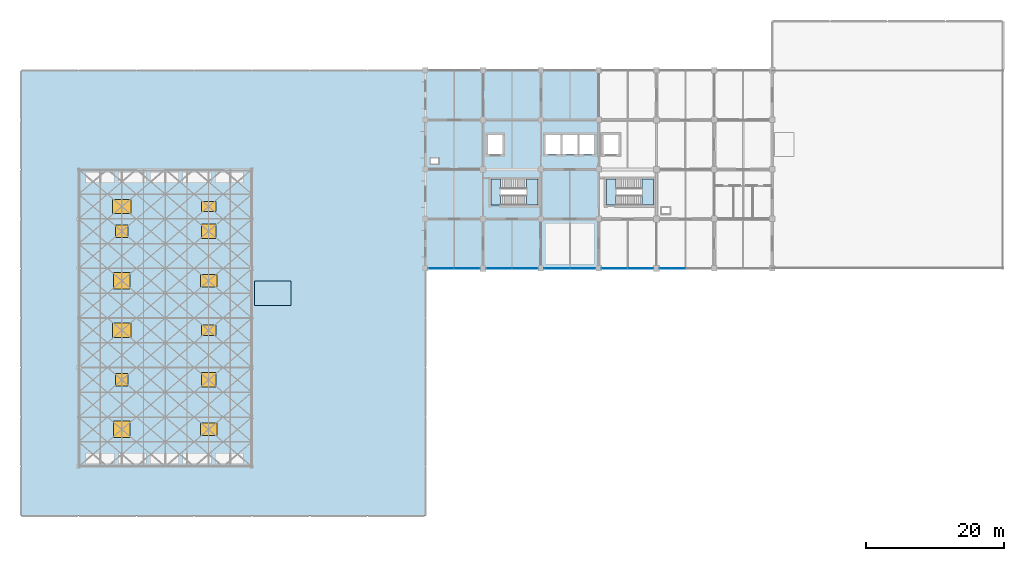
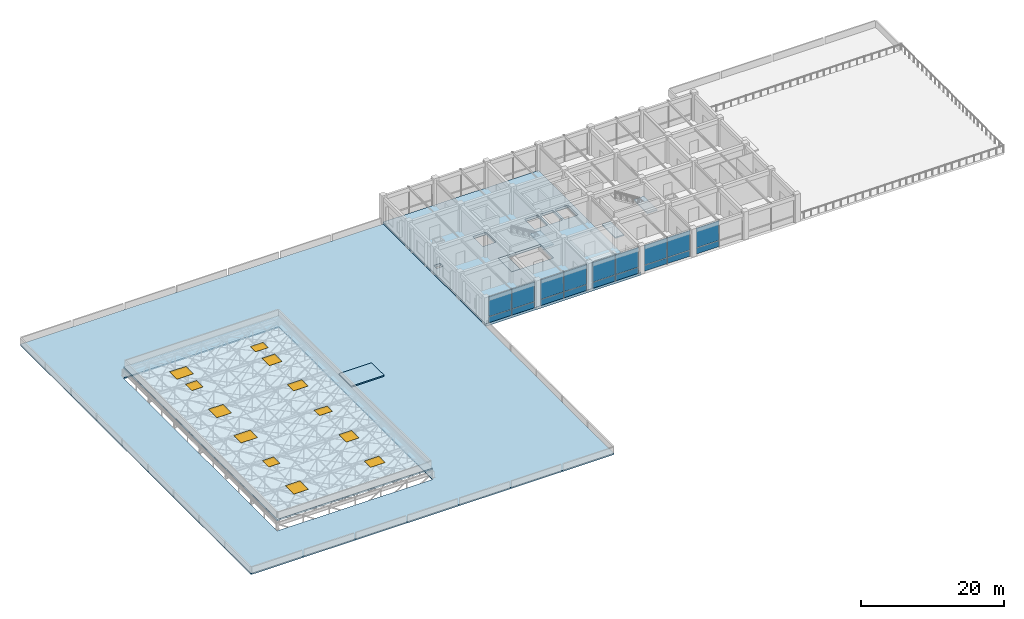
# One storey, part 36 of 45: 18 plates, 12 windows, 8 slabs, 12 openings, 7 elements without a shape of their own.
"""IFC4 building model written with IfcOpenShell, lengths in metres."""

from ifc_helpers import new_model, si_unit, derived_unit, direction, frame, origin, origin_2d, place, context, subcontext, project, spatial, polyline, rectangle, outline, extrude, material, layer, layer_set, type_object, element, fill, aggregate, save


model = new_model("IFC4")

# Units and contexts
model_context = context("Model", 3, precision=1e-05, world=origin(), true_north=direction((0.0, 1.0)))
body_context = subcontext(model_context, "Body", "Model", "MODEL_VIEW")
ifc_project = project(units=[si_unit("LENGTHUNIT", "METRE"), si_unit("AREAUNIT", "SQUARE_METRE"), si_unit("VOLUMEUNIT", "CUBIC_METRE"), si_unit("PLANEANGLEUNIT", "RADIAN"), si_unit("MASSUNIT", "GRAM", prefix="KILO"), derived_unit("THERMALTRANSMITTANCEUNIT", [(si_unit("MASSUNIT", "GRAM", prefix="KILO"), 1), (si_unit("TIMEUNIT", "SECOND"), -3), (si_unit("THERMODYNAMICTEMPERATUREUNIT", "KELVIN"), -1)])], contexts=[model_context])

# Site, building, storey
site_placement = place(None, origin())
site = spatial("IfcSite", under=ifc_project, at=site_placement, CompositionType="ELEMENT")
building_placement = place(site_placement, origin())
building = spatial("IfcBuilding", under=site, at=building_placement, Name="Veldstrom Oceanarium and Marine Research Institute", CompositionType="ELEMENT")
storey_placement = place(building_placement, frame((0.0, 0.0, 22.199951171875)))
storey = spatial("IfcBuildingStorey", under=building, at=storey_placement, Name="L04", CompositionType="ELEMENT", Elevation=22.199951171875)

# Curtain wall, plates
ifc_material_1 = material(Name="Anodised Aluminium Framing", Category="aluminium")
curtain_wall_type = type_object("IfcCurtainWallType", Name="ARC-CW-CW03", PredefinedType="USERDEFINED", material=ifc_material_1)
curtain_wall_1_placement = place(storey_placement, origin())
curtain_wall_1 = element("IfcCurtainWall", 1, at=curtain_wall_1_placement, inside=storey, type_object=curtain_wall_type, Name="Curtain Wall CW03 CW-L04-078", ObjectType="Curtain wall", PredefinedType="USERDEFINED")
ifc_material_2 = material(Name="Double Glazed Low-E IGU", Category="glass")
ifc_layer_1 = layer(ifc_material_2, 0.035888671875)
ifc_layer_set_1 = layer_set([ifc_layer_1], Name="ARC-PLT-CP03")
plate_type_1 = type_object("IfcPlateType", Name="ARC-PLT-CP03", PredefinedType="CURTAIN_PANEL", material=ifc_layer_set_1)
plate_1_placement = place(storey_placement, frame((69.513671875, 43.199951171875, 1.09033203125), z_axis=(0.0, 0.0, 1.0), x_axis=(1.0, 0.0, 0.0)))
plate_1 = element("IfcPlate", 2, at=plate_1_placement, type_object=plate_type_1, Name="Curtain Vision Panel CW-L04-078-PNL-V1", PredefinedType="CURTAIN_PANEL", context=body_context, shape_type="SweptSolid", body=[
    extrude(rectangle(XDim=3.66748046875, YDim=0.035888671875, at=origin_2d()), origin(), (0.0, 0.0, 1.0), 3.409912109375),
])
plate_2_placement = place(storey_placement, frame((73.26123046875, 43.199951171875, 1.09033203125), z_axis=(0.0, 0.0, 1.0), x_axis=(1.0, 0.0, 0.0)))
plate_2 = element("IfcPlate", 3, at=plate_2_placement, type_object=plate_type_1, Name="Curtain Vision Panel CW-L04-078-PNL-V2", PredefinedType="CURTAIN_PANEL", context=body_context, shape_type="SweptSolid", body=[
    extrude(rectangle(XDim=3.66748046875, YDim=0.035888671875, at=origin_2d()), origin(), (0.0, 0.0, 1.0), 3.409912109375),
])

curtain_wall_2_placement = place(storey_placement, origin())
curtain_wall_2 = element("IfcCurtainWall", 4, at=curtain_wall_2_placement, inside=storey, type_object=curtain_wall_type, Name="Curtain Wall CW03 CW-L04-080", ObjectType="Curtain wall", PredefinedType="USERDEFINED")
plate_3_placement = place(storey_placement, frame((77.938720703125, 43.199951171875, 1.09033203125), z_axis=(0.0, 0.0, 1.0), x_axis=(1.0, 0.0, 0.0)))
plate_3 = element("IfcPlate", 5, at=plate_3_placement, type_object=plate_type_1, Name="Curtain Vision Panel CW-L04-080-PNL-V1", PredefinedType="CURTAIN_PANEL", context=body_context, shape_type="SweptSolid", body=[
    extrude(rectangle(XDim=3.66748046875, YDim=0.035888671875, at=origin_2d()), origin(), (0.0, 0.0, 1.0), 3.409912109375),
])
plate_4_placement = place(storey_placement, frame((81.686279296875, 43.199951171875, 1.09033203125), z_axis=(0.0, 0.0, 1.0), x_axis=(1.0, 0.0, 0.0)))
plate_4 = element("IfcPlate", 6, at=plate_4_placement, type_object=plate_type_1, Name="Curtain Vision Panel CW-L04-080-PNL-V2", PredefinedType="CURTAIN_PANEL", context=body_context, shape_type="SweptSolid", body=[
    extrude(rectangle(XDim=3.66748046875, YDim=0.035888671875, at=origin_2d()), origin(), (0.0, 0.0, 1.0), 3.409912109375),
])

curtain_wall_3_placement = place(storey_placement, origin())
curtain_wall_3 = element("IfcCurtainWall", 7, at=curtain_wall_3_placement, inside=storey, type_object=curtain_wall_type, Name="Curtain Wall CW03 CW-L04-082", ObjectType="Curtain wall", PredefinedType="USERDEFINED")
plate_5_placement = place(storey_placement, frame((86.320068359375, 43.199951171875, 1.09033203125), z_axis=(0.0, 0.0, 1.0), x_axis=(1.0, 0.0, 0.0)))
plate_5 = element("IfcPlate", 8, at=plate_5_placement, type_object=plate_type_1, Name="Curtain Vision Panel CW-L04-082-PNL-V1", PredefinedType="CURTAIN_PANEL", context=body_context, shape_type="SweptSolid", body=[
    extrude(rectangle(XDim=3.679931640625, YDim=0.035888671875, at=origin_2d()), origin(), (0.0, 0.0, 1.0), 3.409912109375),
])
plate_6_placement = place(storey_placement, frame((90.080078125, 43.199951171875, 1.09033203125), z_axis=(0.0, 0.0, 1.0), x_axis=(1.0, 0.0, 0.0)))
plate_6 = element("IfcPlate", 9, at=plate_6_placement, type_object=plate_type_1, Name="Curtain Vision Panel CW-L04-082-PNL-V2", PredefinedType="CURTAIN_PANEL", context=body_context, shape_type="SweptSolid", body=[
    extrude(rectangle(XDim=3.679931640625, YDim=0.035888671875, at=origin_2d()), origin(), (0.0, 0.0, 1.0), 3.409912109375),
])

curtain_wall_4_placement = place(storey_placement, origin())
curtain_wall_4 = element("IfcCurtainWall", 10, at=curtain_wall_4_placement, inside=storey, type_object=curtain_wall_type, Name="Curtain Wall CW03 CW-L04-084", ObjectType="Curtain wall", PredefinedType="USERDEFINED")
plate_7_placement = place(storey_placement, frame((94.713623046875, 43.199951171875, 1.09033203125), z_axis=(0.0, 0.0, 1.0), x_axis=(1.0, 0.0, 0.0)))
plate_7 = element("IfcPlate", 11, at=plate_7_placement, type_object=plate_type_1, Name="Curtain Vision Panel CW-L04-084-PNL-V1", PredefinedType="CURTAIN_PANEL", context=body_context, shape_type="SweptSolid", body=[
    extrude(rectangle(XDim=3.66748046875, YDim=0.035888671875, at=origin_2d()), origin(), (0.0, 0.0, 1.0), 3.409912109375),
])
plate_8_placement = place(storey_placement, frame((98.461181640625, 43.199951171875, 1.09033203125), z_axis=(0.0, 0.0, 1.0), x_axis=(1.0, 0.0, 0.0)))
plate_8 = element("IfcPlate", 12, at=plate_8_placement, type_object=plate_type_1, Name="Curtain Vision Panel CW-L04-084-PNL-V2", PredefinedType="CURTAIN_PANEL", context=body_context, shape_type="SweptSolid", body=[
    extrude(rectangle(XDim=3.66748046875, YDim=0.035888671875, at=origin_2d()), origin(), (0.0, 0.0, 1.0), 3.409912109375),
])

# Curtain wall, plate
curtain_wall_5_placement = place(storey_placement, origin())
curtain_wall_5 = element("IfcCurtainWall", 13, at=curtain_wall_5_placement, inside=storey, type_object=curtain_wall_type, Name="Curtain Wall CW03 CW-L04-086", ObjectType="Curtain wall", PredefinedType="USERDEFINED")
plate_9_placement = place(storey_placement, frame((103.138671875, 43.199951171875, 1.09033203125), z_axis=(0.0, 0.0, 1.0), x_axis=(1.0, 0.0, 0.0)))
plate_9 = element("IfcPlate", 14, at=plate_9_placement, type_object=plate_type_1, Name="Curtain Vision Panel CW-L04-086-PNL-V1", PredefinedType="CURTAIN_PANEL", context=body_context, shape_type="SweptSolid", body=[
    extrude(rectangle(XDim=3.66748046875, YDim=0.035888671875, at=origin_2d()), origin(), (0.0, 0.0, 1.0), 3.409912109375),
])

# Plate
ifc_material_3 = material(Name="Insulated Aluminium Spandrel", Category="aluminium")
ifc_layer_2 = layer(ifc_material_3, 0.044921875)
ifc_layer_set_2 = layer_set([ifc_layer_2], Name="ARC-PLT-CP04")
plate_type_2 = type_object("IfcPlateType", Name="ARC-PLT-CP04", PredefinedType="CURTAIN_PANEL", material=ifc_layer_set_2)
plate_10_placement = place(storey_placement, frame((69.513671875, 43.199951171875, 0.02001953125), z_axis=(0.0, 0.0, 1.0), x_axis=(1.0, 0.0, 0.0)))
plate_10 = element("IfcPlate", 15, at=plate_10_placement, type_object=plate_type_2, Name="Curtain Spandrel Panel CW-L04-078-PNL-S1", PredefinedType="CURTAIN_PANEL", context=body_context, shape_type="SweptSolid", body=[
    extrude(rectangle(XDim=3.66748046875, YDim=0.044921875, at=origin_2d()), origin(), (0.0, 0.0, 1.0), 0.989990234375),
])

plate_11_placement = place(storey_placement, frame((73.26123046875, 43.199951171875, 0.02001953125), z_axis=(0.0, 0.0, 1.0), x_axis=(1.0, 0.0, 0.0)))
plate_11 = element("IfcPlate", 16, at=plate_11_placement, type_object=plate_type_2, Name="Curtain Spandrel Panel CW-L04-078-PNL-S2", PredefinedType="CURTAIN_PANEL", context=body_context, shape_type="SweptSolid", body=[
    extrude(rectangle(XDim=3.66748046875, YDim=0.044921875, at=origin_2d()), origin(), (0.0, 0.0, 1.0), 0.989990234375),
])

aggregate(curtain_wall_1, [plate_10, plate_1, plate_11, plate_2])

plate_12_placement = place(storey_placement, frame((77.938720703125, 43.199951171875, 0.02001953125), z_axis=(0.0, 0.0, 1.0), x_axis=(1.0, 0.0, 0.0)))
plate_12 = element("IfcPlate", 17, at=plate_12_placement, type_object=plate_type_2, Name="Curtain Spandrel Panel CW-L04-080-PNL-S1", PredefinedType="CURTAIN_PANEL", context=body_context, shape_type="SweptSolid", body=[
    extrude(rectangle(XDim=3.66748046875, YDim=0.044921875, at=origin_2d()), origin(), (0.0, 0.0, 1.0), 0.989990234375),
])

plate_13_placement = place(storey_placement, frame((81.686279296875, 43.199951171875, 0.02001953125), z_axis=(0.0, 0.0, 1.0), x_axis=(1.0, 0.0, 0.0)))
plate_13 = element("IfcPlate", 18, at=plate_13_placement, type_object=plate_type_2, Name="Curtain Spandrel Panel CW-L04-080-PNL-S2", PredefinedType="CURTAIN_PANEL", context=body_context, shape_type="SweptSolid", body=[
    extrude(rectangle(XDim=3.66748046875, YDim=0.044921875, at=origin_2d()), origin(), (0.0, 0.0, 1.0), 0.989990234375),
])

aggregate(curtain_wall_2, [plate_12, plate_3, plate_13, plate_4])

plate_14_placement = place(storey_placement, frame((86.320068359375, 43.199951171875, 0.02001953125), z_axis=(0.0, 0.0, 1.0), x_axis=(1.0, 0.0, 0.0)))
plate_14 = element("IfcPlate", 19, at=plate_14_placement, type_object=plate_type_2, Name="Curtain Spandrel Panel CW-L04-082-PNL-S1", PredefinedType="CURTAIN_PANEL", context=body_context, shape_type="SweptSolid", body=[
    extrude(rectangle(XDim=3.679931640625, YDim=0.044921875, at=origin_2d()), origin(), (0.0, 0.0, 1.0), 0.989990234375),
])

plate_15_placement = place(storey_placement, frame((90.080078125, 43.199951171875, 0.02001953125), z_axis=(0.0, 0.0, 1.0), x_axis=(1.0, 0.0, 0.0)))
plate_15 = element("IfcPlate", 20, at=plate_15_placement, type_object=plate_type_2, Name="Curtain Spandrel Panel CW-L04-082-PNL-S2", PredefinedType="CURTAIN_PANEL", context=body_context, shape_type="SweptSolid", body=[
    extrude(rectangle(XDim=3.679931640625, YDim=0.044921875, at=origin_2d()), origin(), (0.0, 0.0, 1.0), 0.989990234375),
])

aggregate(curtain_wall_3, [plate_14, plate_5, plate_15, plate_6])

plate_16_placement = place(storey_placement, frame((94.713623046875, 43.199951171875, 0.02001953125), z_axis=(0.0, 0.0, 1.0), x_axis=(1.0, 0.0, 0.0)))
plate_16 = element("IfcPlate", 21, at=plate_16_placement, type_object=plate_type_2, Name="Curtain Spandrel Panel CW-L04-084-PNL-S1", PredefinedType="CURTAIN_PANEL", context=body_context, shape_type="SweptSolid", body=[
    extrude(rectangle(XDim=3.66748046875, YDim=0.044921875, at=origin_2d()), origin(), (0.0, 0.0, 1.0), 0.989990234375),
])

plate_17_placement = place(storey_placement, frame((98.461181640625, 43.199951171875, 0.02001953125), z_axis=(0.0, 0.0, 1.0), x_axis=(1.0, 0.0, 0.0)))
plate_17 = element("IfcPlate", 22, at=plate_17_placement, type_object=plate_type_2, Name="Curtain Spandrel Panel CW-L04-084-PNL-S2", PredefinedType="CURTAIN_PANEL", context=body_context, shape_type="SweptSolid", body=[
    extrude(rectangle(XDim=3.66748046875, YDim=0.044921875, at=origin_2d()), origin(), (0.0, 0.0, 1.0), 0.989990234375),
])

aggregate(curtain_wall_4, [plate_16, plate_7, plate_17, plate_8])

plate_18_placement = place(storey_placement, frame((103.138671875, 43.199951171875, 0.02001953125), z_axis=(0.0, 0.0, 1.0), x_axis=(1.0, 0.0, 0.0)))
plate_18 = element("IfcPlate", 23, at=plate_18_placement, type_object=plate_type_2, Name="Curtain Spandrel Panel CW-L04-086-PNL-S1", PredefinedType="CURTAIN_PANEL", context=body_context, shape_type="SweptSolid", body=[
    extrude(rectangle(XDim=3.66748046875, YDim=0.044921875, at=origin_2d()), origin(), (0.0, 0.0, 1.0), 0.989990234375),
])

aggregate(curtain_wall_5, [plate_18, plate_9])

# Slab
ifc_material_4 = material(Name="Concrete C40/50", Category="concrete")
ifc_layer_3 = layer(ifc_material_4, 0.449951171875)
ifc_layer_set_3 = layer_set([ifc_layer_3], Name="STR-SLB-FL0450")
slab_type_1 = type_object("IfcSlabType", Name="STR-SLB-FL0450", PredefinedType="FLOOR", material=ifc_layer_set_3)
slab_1_placement = place(storey_placement, frame((0.0, 0.0, -0.449951171875)))
element("IfcSlab", 24, at=slab_1_placement, inside=storey, type_object=slab_type_1, Name="Slab SF-450 L04 CW", PredefinedType="FLOOR", context=body_context, shape_type="SweptSolid", body=[
    extrude(outline(polyline([(92.39990234375, 50.39990234375), (92.39990234375, 43.199951171875), (84.0, 43.199951171875), (75.60009765625, 43.199951171875), (67.199951171875, 43.199951171875), (67.199951171875, 50.39990234375), (67.199951171875, 57.60009765625), (67.199951171875, 64.800048828125), (67.199951171875, 72.0), (75.60009765625, 72.0), (84.0, 72.0), (92.39990234375, 72.0), (92.39990234375, 64.800048828125), (92.39990234375, 57.60009765625), (92.39990234375, 50.39990234375)]), holes=[polyline([(83.56005859375, 52.39990234375), (83.56005859375, 56.199951171875), (76.719970703125, 56.199951171875), (76.719970703125, 52.39990234375), (83.56005859375, 52.39990234375)]), polyline([(76.300048828125, 62.60009765625), (76.300048828125, 59.800048828125), (78.449951171875, 59.800048828125), (78.449951171875, 62.60009765625), (76.300048828125, 62.60009765625)]), polyline([(86.85009765625, 59.800048828125), (86.85009765625, 62.60009765625), (84.699951171875, 62.60009765625), (84.699951171875, 59.800048828125), (86.85009765625, 59.800048828125)]), polyline([(87.14990234375, 59.800048828125), (89.300048828125, 59.800048828125), (89.300048828125, 62.60009765625), (87.14990234375, 62.60009765625), (87.14990234375, 59.800048828125)]), polyline([(89.60009765625, 62.60009765625), (89.60009765625, 59.800048828125), (91.75, 59.800048828125), (91.75, 62.60009765625), (89.60009765625, 62.60009765625)]), polyline([(69.10009765625, 59.199951171875), (68.0, 59.199951171875), (68.0, 58.39990234375), (69.10009765625, 58.39990234375), (69.10009765625, 59.199951171875)])]), origin(), (0.0, 0.0, 1.0), 0.449951171875),
])

# Stair, slab
ifc_material_5 = material(Name="Concrete C40/50", Category="concrete")
stair_type = type_object("IfcStairType", Name="ARC-STR-ST-480", PredefinedType="TWO_STRAIGHT_RUN_STAIR", material=ifc_material_5)
stair_1_placement = place(storey_placement, origin())
stair_1 = element("IfcStair", 25, at=stair_1_placement, inside=storey, type_object=stair_type, Name="Dog-Leg Escape Stair ST1-L04", PredefinedType="TWO_STRAIGHT_RUN_STAIR")
ifc_material_6 = material(Name="Concrete C40/50", Category="concrete")
ifc_layer_4 = layer(ifc_material_6, 0.179931640625)
ifc_layer_set_4 = layer_set([ifc_layer_4], Name="STR-SLB-LD180")
slab_type_2 = type_object("IfcSlabType", Name="STR-SLB-LD180", PredefinedType="LANDING", material=ifc_layer_set_4)
slab_2_placement = place(storey_placement, frame((0.0, 0.0, 2.219970703125)))
slab_2 = element("IfcSlab", 26, at=slab_2_placement, type_object=slab_type_2, Name="Stair Half-Landing ST1 L04", PredefinedType="LANDING", context=body_context, shape_type="SweptSolid", body=[
    extrude(outline(polyline([(81.919921875, 52.39990234375), (83.56005859375, 52.39990234375), (83.56005859375, 56.199951171875), (81.919921875, 56.199951171875), (81.919921875, 52.39990234375)])), origin(), (0.0, 0.0, 1.0), 0.18017578125),
])
aggregate(stair_1, [slab_2])

stair_2_placement = place(storey_placement, origin())
stair_2 = element("IfcStair", 27, at=stair_2_placement, inside=storey, type_object=stair_type, Name="Dog-Leg Escape Stair ST2-L04", PredefinedType="TWO_STRAIGHT_RUN_STAIR")
slab_3_placement = place(storey_placement, frame((0.0, 0.0, 2.219970703125)))
slab_3 = element("IfcSlab", 28, at=slab_3_placement, type_object=slab_type_2, Name="Stair Half-Landing ST2 L04", PredefinedType="LANDING", context=body_context, shape_type="SweptSolid", body=[
    extrude(outline(polyline([(98.719970703125, 52.39990234375), (100.360107421875, 52.39990234375), (100.360107421875, 56.199951171875), (98.719970703125, 56.199951171875), (98.719970703125, 52.39990234375)])), origin(), (0.0, 0.0, 1.0), 0.18017578125),
])
aggregate(stair_2, [slab_3])

# Slabs
ifc_material_7 = material(Name="Concrete C40/50", Category="concrete")
ifc_layer_5 = layer(ifc_material_7, 0.199951171875)
ifc_layer_set_5 = layer_set([ifc_layer_5], Name="STR-SLB-LD200")
slab_type_3 = type_object("IfcSlabType", Name="STR-SLB-LD200", PredefinedType="LANDING", material=ifc_layer_set_5)
slab_4_placement = place(storey_placement, frame((0.0, 0.0, -0.199951171875)))
element("IfcSlab", 29, at=slab_4_placement, inside=storey, type_object=slab_type_3, Name="Stair Floor Landing ST1 L04", PredefinedType="LANDING", context=body_context, shape_type="SweptSolid", body=[
    extrude(outline(polyline([(76.719970703125, 52.39990234375), (78.139892578125, 52.39990234375), (78.139892578125, 56.199951171875), (76.719970703125, 56.199951171875), (76.719970703125, 52.39990234375)])), origin(), (0.0, 0.0, 1.0), 0.199951171875),
])
slab_5_placement = place(storey_placement, frame((0.0, 0.0, -0.199951171875)))
element("IfcSlab", 30, at=slab_5_placement, inside=storey, type_object=slab_type_3, Name="Stair Floor Landing ST2 L04", PredefinedType="LANDING", context=body_context, shape_type="SweptSolid", body=[
    extrude(outline(polyline([(93.52001953125, 52.39990234375), (94.93994140625, 52.39990234375), (94.93994140625, 56.199951171875), (93.52001953125, 56.199951171875), (93.52001953125, 52.39990234375)])), origin(), (0.0, 0.0, 1.0), 0.199951171875),
])
ifc_material_8 = material(Name="Concrete C40/50", Category="concrete")
ifc_layer_6 = layer(ifc_material_8, 0.199951171875)
ifc_layer_set_6 = layer_set([ifc_layer_6], Name="STR-SLB-RF0200")
slab_type_4 = type_object("IfcSlabType", Name="STR-SLB-RF0200", PredefinedType="ROOF", material=ifc_layer_set_6)
slab_6_placement = place(storey_placement, frame((0.0, 0.0, 1.10009765625)))
element("IfcSlab", 31, at=slab_6_placement, inside=storey, type_object=slab_type_4, Name="Lift Bank Overrun Roof Slab 5/5", PredefinedType="ROOF", context=body_context, shape_type="SweptSolid", body=[
    extrude(outline(polyline([(42.340087890625, 37.840087890625), (47.659912109375, 37.840087890625), (47.659912109375, 41.360107421875), (42.340087890625, 41.360107421875), (42.340087890625, 37.840087890625)])), origin(), (0.0, 0.0, 1.0), 0.199951171875),
])
ifc_material_9 = material(Name="Concrete C40/50", Category="concrete")
ifc_layer_7 = layer(ifc_material_9, 0.22509765625)
ifc_layer_set_7 = layer_set([ifc_layer_7], Name="STR-SLB-RF0225")
slab_type_5 = type_object("IfcSlabType", Name="STR-SLB-RF0225", PredefinedType="ROOF", material=ifc_layer_set_7)
slab_7_placement = place(storey_placement, frame((0.0, 0.0, -0.574951171875)))
element("IfcSlab", 32, at=slab_7_placement, inside=storey, type_object=slab_type_5, Name="Maintenance Roof Slab L03", PredefinedType="ROOF", context=body_context, shape_type="SweptSolid", body=[
    extrude(outline(polyline([(16.800048828125, 7.199951171875), (8.39990234375, 7.199951171875), (8.39990234375, 14.39990234375), (8.39990234375, 21.60009765625), (8.39990234375, 28.800048828125), (8.39990234375, 36.0), (8.39990234375, 43.199951171875), (8.39990234375, 50.39990234375), (8.39990234375, 57.60009765625), (8.39990234375, 64.800048828125), (8.39990234375, 72.0), (16.800048828125, 72.0), (25.199951171875, 72.0), (33.60009765625, 72.0), (42.0, 72.0), (50.39990234375, 72.0), (58.800048828125, 72.0), (67.199951171875, 72.0), (67.199951171875, 64.800048828125), (67.199951171875, 57.60009765625), (67.199951171875, 50.39990234375), (67.199951171875, 43.199951171875), (67.199951171875, 36.0), (67.199951171875, 28.800048828125), (67.199951171875, 21.60009765625), (67.199951171875, 14.39990234375), (67.199951171875, 7.199951171875), (58.800048828125, 7.199951171875), (50.39990234375, 7.199951171875), (42.0, 7.199951171875), (33.60009765625, 7.199951171875), (25.199951171875, 7.199951171875), (16.800048828125, 7.199951171875)]), holes=[polyline([(33.60009765625, 57.60009765625), (25.199951171875, 57.60009765625), (16.800048828125, 57.60009765625), (16.800048828125, 50.39990234375), (16.800048828125, 43.199951171875), (16.800048828125, 36.0), (16.800048828125, 28.800048828125), (16.800048828125, 21.60009765625), (16.800048828125, 14.39990234375), (25.199951171875, 14.39990234375), (33.60009765625, 14.39990234375), (42.0, 14.39990234375), (42.0, 21.60009765625), (42.0, 28.800048828125), (42.0, 36.0), (42.0, 43.199951171875), (42.0, 50.39990234375), (42.0, 57.60009765625), (33.60009765625, 57.60009765625)])]), origin(), (0.0, 0.0, 1.0), 0.22509765625),
])

# Slab, openings, windows
ifc_material_10 = material(Name="Concrete C40/50", Category="concrete")
ifc_layer_8 = layer(ifc_material_10, 0.25)
ifc_layer_set_8 = layer_set([ifc_layer_8], Name="STR-SLB-RF0250")
slab_type_6 = type_object("IfcSlabType", Name="STR-SLB-RF0250", PredefinedType="ROOF", material=ifc_layer_set_8)
slab_8_placement = place(storey_placement, frame((0.0, 0.0, 1.35009765625)))
slab_8 = element("IfcSlab", 33, at=slab_8_placement, inside=storey, type_object=slab_type_6, Name="Aquarium Atrium Hall Roof Slab L03", PredefinedType="ROOF", context=body_context, shape_type="SweptSolid", body=[
    extrude(outline(polyline([(16.800048828125, 14.39990234375), (42.0, 14.39990234375), (42.0, 57.60009765625), (16.800048828125, 57.60009765625), (16.800048828125, 14.39990234375)])), origin(), (0.0, 0.0, 1.0), 0.25),
])
opening_1_placement = place(slab_8_placement, frame((23.10009765625, 19.800048828125, 0.0)))
opening_1 = element("IfcOpeningElement", 34, at=opening_1_placement, cuts=slab_8, Name="Opening SK01", PredefinedType="OPENING", context=body_context, shape_type="SweptSolid", body=[
    extrude(rectangle(XDim=2.39990234375, YDim=2.39990234375, at=origin_2d()), frame((0.0, 0.0, -0.010009765625)), (0.0, 0.0, 1.0), 0.27001953125),
])
opening_2_placement = place(slab_8_placement, frame((35.699951171875, 19.800048828125, 0.0)))
opening_2 = element("IfcOpeningElement", 35, at=opening_2_placement, cuts=slab_8, Name="Opening SK02", PredefinedType="OPENING", context=body_context, shape_type="SweptSolid", body=[
    extrude(rectangle(XDim=2.39990234375, YDim=1.800048828125, at=origin_2d()), frame((0.0, 0.0, -0.010009765625)), (0.0, 0.0, 1.0), 0.27001953125),
])
opening_3_placement = place(slab_8_placement, frame((23.10009765625, 27.0, 0.0)))
opening_3 = element("IfcOpeningElement", 36, at=opening_3_placement, cuts=slab_8, Name="Opening SK03", PredefinedType="OPENING", context=body_context, shape_type="SweptSolid", body=[
    extrude(rectangle(XDim=1.800048828125, YDim=1.800048828125, at=origin_2d()), frame((0.0, 0.0, -0.010009765625)), (0.0, 0.0, 1.0), 0.27001953125),
])
opening_4_placement = place(slab_8_placement, frame((35.699951171875, 27.0, 0.0)))
opening_4 = element("IfcOpeningElement", 37, at=opening_4_placement, cuts=slab_8, Name="Opening SK04", PredefinedType="OPENING", context=body_context, shape_type="SweptSolid", body=[
    extrude(rectangle(XDim=2.10009765625, YDim=2.10009765625, at=origin_2d()), frame((0.0, 0.0, -0.010009765625)), (0.0, 0.0, 1.0), 0.27001953125),
])
opening_5_placement = place(slab_8_placement, frame((23.10009765625, 34.199951171875, 0.0)))
opening_5 = element("IfcOpeningElement", 38, at=opening_5_placement, cuts=slab_8, Name="Opening SK05", PredefinedType="OPENING", context=body_context, shape_type="SweptSolid", body=[
    extrude(rectangle(XDim=2.699951171875, YDim=2.10009765625, at=origin_2d()), frame((0.0, 0.0, -0.010009765625)), (0.0, 0.0, 1.0), 0.27001953125),
])
opening_6_placement = place(slab_8_placement, frame((35.699951171875, 34.199951171875, 0.0)))
opening_6 = element("IfcOpeningElement", 39, at=opening_6_placement, cuts=slab_8, Name="Opening SK06", PredefinedType="OPENING", context=body_context, shape_type="SweptSolid", body=[
    extrude(rectangle(XDim=2.10009765625, YDim=1.5, at=origin_2d()), frame((0.0, 0.0, -0.010009765625)), (0.0, 0.0, 1.0), 0.27001953125),
])
opening_7_placement = place(slab_8_placement, frame((23.10009765625, 41.39990234375, 0.0)))
opening_7 = element("IfcOpeningElement", 40, at=opening_7_placement, cuts=slab_8, Name="Opening SK01", PredefinedType="OPENING", context=body_context, shape_type="SweptSolid", body=[
    extrude(rectangle(XDim=2.39990234375, YDim=2.39990234375, at=origin_2d()), frame((0.0, 0.0, -0.010009765625)), (0.0, 0.0, 1.0), 0.27001953125),
])
opening_8_placement = place(slab_8_placement, frame((35.699951171875, 41.39990234375, 0.0)))
opening_8 = element("IfcOpeningElement", 41, at=opening_8_placement, cuts=slab_8, Name="Opening SK02", PredefinedType="OPENING", context=body_context, shape_type="SweptSolid", body=[
    extrude(rectangle(XDim=2.39990234375, YDim=1.800048828125, at=origin_2d()), frame((0.0, 0.0, -0.010009765625)), (0.0, 0.0, 1.0), 0.27001953125),
])
opening_9_placement = place(slab_8_placement, frame((23.10009765625, 48.60009765625, 0.0)))
opening_9 = element("IfcOpeningElement", 42, at=opening_9_placement, cuts=slab_8, Name="Opening SK03", PredefinedType="OPENING", context=body_context, shape_type="SweptSolid", body=[
    extrude(rectangle(XDim=1.800048828125, YDim=1.800048828125, at=origin_2d()), frame((0.0, 0.0, -0.010009765625)), (0.0, 0.0, 1.0), 0.27001953125),
])
opening_10_placement = place(slab_8_placement, frame((35.699951171875, 48.60009765625, 0.0)))
opening_10 = element("IfcOpeningElement", 43, at=opening_10_placement, cuts=slab_8, Name="Opening SK04", PredefinedType="OPENING", context=body_context, shape_type="SweptSolid", body=[
    extrude(rectangle(XDim=2.10009765625, YDim=2.10009765625, at=origin_2d()), frame((0.0, 0.0, -0.010009765625)), (0.0, 0.0, 1.0), 0.27001953125),
])
opening_11_placement = place(slab_8_placement, frame((23.10009765625, 52.199951171875, 0.0)))
opening_11 = element("IfcOpeningElement", 44, at=opening_11_placement, cuts=slab_8, Name="Opening SK05", PredefinedType="OPENING", context=body_context, shape_type="SweptSolid", body=[
    extrude(rectangle(XDim=2.699951171875, YDim=2.10009765625, at=origin_2d()), frame((0.0, 0.0, -0.010009765625)), (0.0, 0.0, 1.0), 0.27001953125),
])
opening_12_placement = place(slab_8_placement, frame((35.699951171875, 52.199951171875, 0.0)))
opening_12 = element("IfcOpeningElement", 45, at=opening_12_placement, cuts=slab_8, Name="Opening SK06", PredefinedType="OPENING", context=body_context, shape_type="SweptSolid", body=[
    extrude(rectangle(XDim=2.10009765625, YDim=1.5, at=origin_2d()), frame((0.0, 0.0, -0.010009765625)), (0.0, 0.0, 1.0), 0.27001953125),
])
ifc_material_11 = material(Name="Laminated Solar-Control Skylight IGU", Category="glass")
window_type_1 = type_object("IfcWindowType", Name="ARC-SKY-SK1", PartitioningType="SINGLE_PANEL", PredefinedType="SKYLIGHT", material=ifc_material_11)
window_1_placement = place(opening_1_placement, frame((0.0, 0.0, 0.199951171875)))
window_1 = element("IfcWindow", 46, at=window_1_placement, inside=storey, type_object=window_type_1, Name="Aquarium Hall Roof Skylight SK01-01", OverallHeight=2.39990234375, OverallWidth=2.39990234375, PartitioningType="SINGLE_PANEL", PredefinedType="SKYLIGHT", context=body_context, shape_type="SweptSolid", body=[
    extrude(rectangle(XDim=2.39990234375, YDim=2.39990234375, at=origin_2d()), origin(), (0.0, 0.0, 1.0), 0.050048828125),
])
fill(opening_1, window_1)
window_2_placement = place(opening_7_placement, frame((0.0, 0.0, 0.199951171875)))
window_2 = element("IfcWindow", 47, at=window_2_placement, inside=storey, type_object=window_type_1, Name="Aquarium Hall Roof Skylight SK01-07", OverallHeight=2.39990234375, OverallWidth=2.39990234375, PartitioningType="SINGLE_PANEL", PredefinedType="SKYLIGHT", context=body_context, shape_type="SweptSolid", body=[
    extrude(rectangle(XDim=2.39990234375, YDim=2.39990234375, at=origin_2d()), origin(), (0.0, 0.0, 1.0), 0.050048828125),
])
fill(opening_7, window_2)
ifc_material_12 = material(Name="Laminated Solar-Control Skylight IGU", Category="glass")
window_type_2 = type_object("IfcWindowType", Name="ARC-SKY-SK2", PartitioningType="SINGLE_PANEL", PredefinedType="SKYLIGHT", material=ifc_material_12)
window_3_placement = place(opening_2_placement, frame((0.0, 0.0, 0.199951171875)))
window_3 = element("IfcWindow", 48, at=window_3_placement, inside=storey, type_object=window_type_2, Name="Aquarium Hall Roof Skylight SK02-02", OverallHeight=1.800048828125, OverallWidth=2.39990234375, PartitioningType="SINGLE_PANEL", PredefinedType="SKYLIGHT", context=body_context, shape_type="SweptSolid", body=[
    extrude(rectangle(XDim=2.39990234375, YDim=1.800048828125, at=origin_2d()), origin(), (0.0, 0.0, 1.0), 0.050048828125),
])
fill(opening_2, window_3)
window_4_placement = place(opening_8_placement, frame((0.0, 0.0, 0.199951171875)))
window_4 = element("IfcWindow", 49, at=window_4_placement, inside=storey, type_object=window_type_2, Name="Aquarium Hall Roof Skylight SK02-08", OverallHeight=1.800048828125, OverallWidth=2.39990234375, PartitioningType="SINGLE_PANEL", PredefinedType="SKYLIGHT", context=body_context, shape_type="SweptSolid", body=[
    extrude(rectangle(XDim=2.39990234375, YDim=1.800048828125, at=origin_2d()), origin(), (0.0, 0.0, 1.0), 0.050048828125),
])
fill(opening_8, window_4)
ifc_material_13 = material(Name="Laminated Solar-Control Skylight IGU", Category="glass")
window_type_3 = type_object("IfcWindowType", Name="ARC-SKY-SK3", PartitioningType="SINGLE_PANEL", PredefinedType="SKYLIGHT", material=ifc_material_13)
window_5_placement = place(opening_3_placement, frame((0.0, 0.0, 0.199951171875)))
window_5 = element("IfcWindow", 50, at=window_5_placement, inside=storey, type_object=window_type_3, Name="Aquarium Hall Roof Skylight SK03-03", OverallHeight=1.800048828125, OverallWidth=1.800048828125, PartitioningType="SINGLE_PANEL", PredefinedType="SKYLIGHT", context=body_context, shape_type="SweptSolid", body=[
    extrude(rectangle(XDim=1.800048828125, YDim=1.800048828125, at=origin_2d()), origin(), (0.0, 0.0, 1.0), 0.050048828125),
])
fill(opening_3, window_5)
window_6_placement = place(opening_9_placement, frame((0.0, 0.0, 0.199951171875)))
window_6 = element("IfcWindow", 51, at=window_6_placement, inside=storey, type_object=window_type_3, Name="Aquarium Hall Roof Skylight SK03-09", OverallHeight=1.800048828125, OverallWidth=1.800048828125, PartitioningType="SINGLE_PANEL", PredefinedType="SKYLIGHT", context=body_context, shape_type="SweptSolid", body=[
    extrude(rectangle(XDim=1.800048828125, YDim=1.800048828125, at=origin_2d()), origin(), (0.0, 0.0, 1.0), 0.050048828125),
])
fill(opening_9, window_6)
ifc_material_14 = material(Name="Laminated Solar-Control Skylight IGU", Category="glass")
window_type_4 = type_object("IfcWindowType", Name="ARC-SKY-SK4", PartitioningType="SINGLE_PANEL", PredefinedType="SKYLIGHT", material=ifc_material_14)
window_7_placement = place(opening_4_placement, frame((0.0, 0.0, 0.199951171875)))
window_7 = element("IfcWindow", 52, at=window_7_placement, inside=storey, type_object=window_type_4, Name="Aquarium Hall Roof Skylight SK04-04", OverallHeight=2.10009765625, OverallWidth=2.10009765625, PartitioningType="SINGLE_PANEL", PredefinedType="SKYLIGHT", context=body_context, shape_type="SweptSolid", body=[
    extrude(rectangle(XDim=2.10009765625, YDim=2.10009765625, at=origin_2d()), origin(), (0.0, 0.0, 1.0), 0.050048828125),
])
fill(opening_4, window_7)
window_8_placement = place(opening_10_placement, frame((0.0, 0.0, 0.199951171875)))
window_8 = element("IfcWindow", 53, at=window_8_placement, inside=storey, type_object=window_type_4, Name="Aquarium Hall Roof Skylight SK04-10", OverallHeight=2.10009765625, OverallWidth=2.10009765625, PartitioningType="SINGLE_PANEL", PredefinedType="SKYLIGHT", context=body_context, shape_type="SweptSolid", body=[
    extrude(rectangle(XDim=2.10009765625, YDim=2.10009765625, at=origin_2d()), origin(), (0.0, 0.0, 1.0), 0.050048828125),
])
fill(opening_10, window_8)
ifc_material_15 = material(Name="Laminated Solar-Control Skylight IGU", Category="glass")
window_type_5 = type_object("IfcWindowType", Name="ARC-SKY-SK5", PartitioningType="SINGLE_PANEL", PredefinedType="SKYLIGHT", material=ifc_material_15)
window_9_placement = place(opening_5_placement, frame((0.0, 0.0, 0.199951171875)))
window_9 = element("IfcWindow", 54, at=window_9_placement, inside=storey, type_object=window_type_5, Name="Aquarium Hall Roof Skylight SK05-05", OverallHeight=2.10009765625, OverallWidth=2.699951171875, PartitioningType="SINGLE_PANEL", PredefinedType="SKYLIGHT", context=body_context, shape_type="SweptSolid", body=[
    extrude(rectangle(XDim=2.699951171875, YDim=2.10009765625, at=origin_2d()), origin(), (0.0, 0.0, 1.0), 0.050048828125),
])
fill(opening_5, window_9)
window_10_placement = place(opening_11_placement, frame((0.0, 0.0, 0.199951171875)))
window_10 = element("IfcWindow", 55, at=window_10_placement, inside=storey, type_object=window_type_5, Name="Aquarium Hall Roof Skylight SK05-11", OverallHeight=2.10009765625, OverallWidth=2.699951171875, PartitioningType="SINGLE_PANEL", PredefinedType="SKYLIGHT", context=body_context, shape_type="SweptSolid", body=[
    extrude(rectangle(XDim=2.699951171875, YDim=2.10009765625, at=origin_2d()), origin(), (0.0, 0.0, 1.0), 0.050048828125),
])
fill(opening_11, window_10)
ifc_material_16 = material(Name="Laminated Solar-Control Skylight IGU", Category="glass")
window_type_6 = type_object("IfcWindowType", Name="ARC-SKY-SK6", PartitioningType="SINGLE_PANEL", PredefinedType="SKYLIGHT", material=ifc_material_16)
window_11_placement = place(opening_6_placement, frame((0.0, 0.0, 0.199951171875)))
window_11 = element("IfcWindow", 56, at=window_11_placement, inside=storey, type_object=window_type_6, Name="Aquarium Hall Roof Skylight SK06-06", OverallHeight=1.5, OverallWidth=2.10009765625, PartitioningType="SINGLE_PANEL", PredefinedType="SKYLIGHT", context=body_context, shape_type="SweptSolid", body=[
    extrude(rectangle(XDim=2.10009765625, YDim=1.5, at=origin_2d()), origin(), (0.0, 0.0, 1.0), 0.050048828125),
])
fill(opening_6, window_11)
window_12_placement = place(opening_12_placement, frame((0.0, 0.0, 0.199951171875)))
window_12 = element("IfcWindow", 57, at=window_12_placement, inside=storey, type_object=window_type_6, Name="Aquarium Hall Roof Skylight SK06-12", OverallHeight=1.5, OverallWidth=2.10009765625, PartitioningType="SINGLE_PANEL", PredefinedType="SKYLIGHT", context=body_context, shape_type="SweptSolid", body=[
    extrude(rectangle(XDim=2.10009765625, YDim=1.5, at=origin_2d()), origin(), (0.0, 0.0, 1.0), 0.050048828125),
])
fill(opening_12, window_12)

save(model, "model.ifc")
